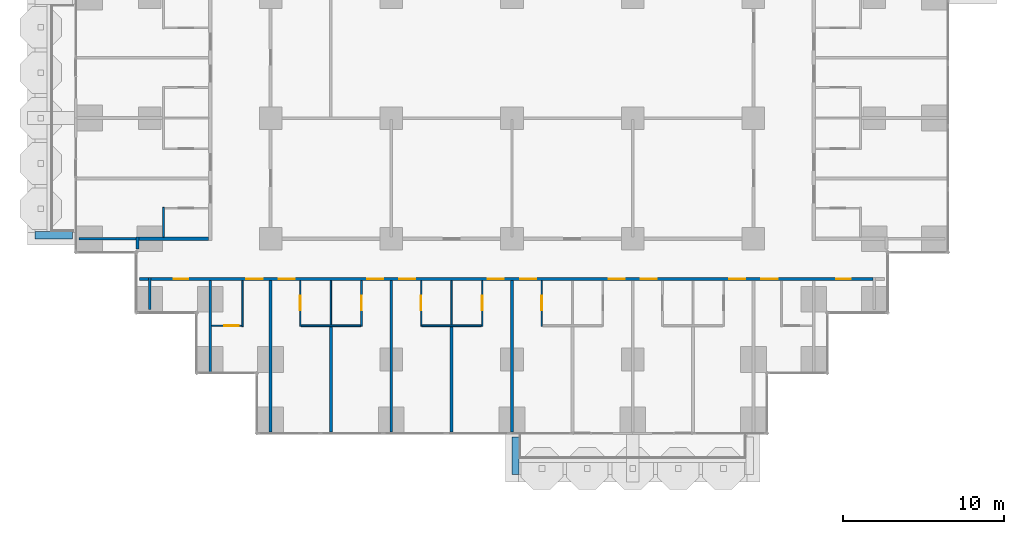
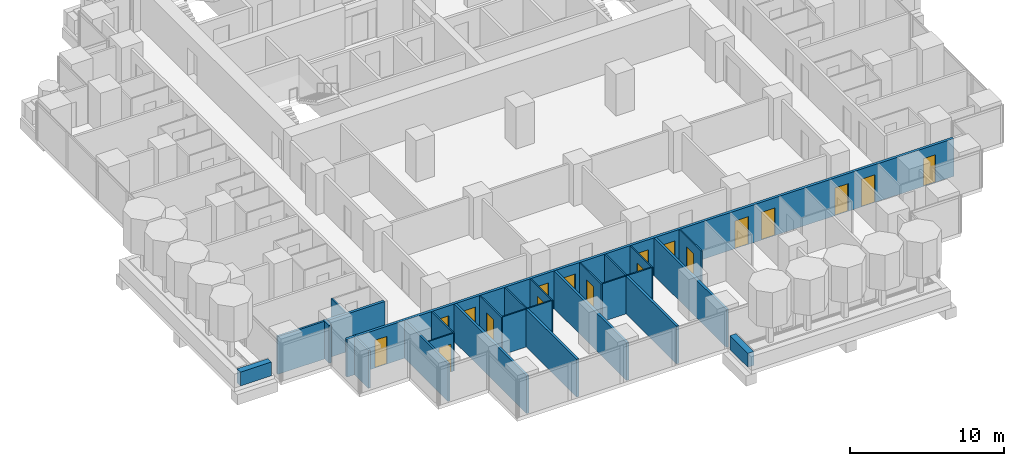
# One storey, part 10 of 19: 26 walls, 18 doors, 18 openings.
"""IFC4 building model written with IfcOpenShell, lengths in metres."""

from ifc_helpers import new_model, si_unit, direction, frame, frame_2d, origin, place, context, subcontext, project, spatial, rectangle, extrude, material, layer, layer_set, type_object, element, fill, save


model = new_model("IFC4")

# Units and contexts
model_context = context("Model", 3, precision=1e-05, world=origin(), true_north=direction((0.0, 1.0)))
body_context = subcontext(model_context, "Body", "Model", "MODEL_VIEW")
ifc_project = project(units=[si_unit("LENGTHUNIT", "METRE"), si_unit("AREAUNIT", "SQUARE_METRE"), si_unit("VOLUMEUNIT", "CUBIC_METRE"), si_unit("PLANEANGLEUNIT", "RADIAN"), si_unit("MASSUNIT", "GRAM", prefix="KILO")], contexts=[model_context])

# Site, building, storey
site_placement = place(None, origin())
site = spatial("IfcSite", under=ifc_project, at=site_placement, CompositionType="ELEMENT")
building_placement = place(site_placement, origin())
building = spatial("IfcBuilding", under=site, at=building_placement, Name="Pilkhan Gate Tower", CompositionType="ELEMENT")
storey_placement = place(building_placement, frame((0.0, 0.0, 46.10009765625)))
storey = spatial("IfcBuildingStorey", under=building, at=storey_placement, Name="L08", CompositionType="ELEMENT", Elevation=46.10009765625)

# Walls
ifc_material_1 = material(Name="Dense blockwork", Category="masonry")
ifc_layer_1 = layer(ifc_material_1, 0.175048828125)
ifc_layer_set_1 = layer_set([ifc_layer_1], Name="Acoustic party wall PW175")
wall_type_1 = type_object("IfcWallType", Name="Acoustic party wall PW175", PredefinedType="PARTITIONING", material=ifc_layer_set_1)
wall_1_placement = place(storey_placement, frame((60.0, 40.485107421875, 0.0), z_axis=(0.0, 0.0, 1.0), x_axis=(0.0, 1.0, 0.0)))
element("IfcWall", 1, at=wall_1_placement, inside=storey, type_object=wall_type_1, Name="Partition L08", PredefinedType="PARTITIONING", context=body_context, shape_type="SweptSolid", body=[
    extrude(rectangle(XDim=9.414794921875, YDim=0.175048828125, at=frame_2d((4.70751953125, 0.0))), origin(), (0.0, 0.0, 1.0), 3.0),
])
wall_2_placement = place(storey_placement, frame((63.75, 40.485107421875, 0.0), z_axis=(0.0, 0.0, 1.0), x_axis=(0.0, 1.0, 0.0)))
element("IfcWall", 2, at=wall_2_placement, inside=storey, type_object=wall_type_1, Name="Partition L08", PredefinedType="PARTITIONING", context=body_context, shape_type="SweptSolid", body=[
    extrude(rectangle(XDim=6.56494140625, YDim=0.175048828125, at=frame_2d((3.282470703125, 0.0))), origin(), (0.0, 0.0, 1.0), 3.0),
])
wall_3_placement = place(storey_placement, frame((67.5, 40.485107421875, 0.0), z_axis=(0.0, 0.0, 1.0), x_axis=(0.0, 1.0, 0.0)))
element("IfcWall", 3, at=wall_3_placement, inside=storey, type_object=wall_type_1, Name="Partition L08", PredefinedType="PARTITIONING", context=body_context, shape_type="SweptSolid", body=[
    extrude(rectangle(XDim=9.414794921875, YDim=0.175048828125, at=frame_2d((4.70751953125, 0.0))), origin(), (0.0, 0.0, 1.0), 3.0),
])
wall_4_placement = place(storey_placement, frame((71.25, 40.485107421875, 0.0), z_axis=(0.0, 0.0, 1.0), x_axis=(0.0, 1.0, 0.0)))
element("IfcWall", 4, at=wall_4_placement, inside=storey, type_object=wall_type_1, Name="Partition L08", PredefinedType="PARTITIONING", context=body_context, shape_type="SweptSolid", body=[
    extrude(rectangle(XDim=6.56494140625, YDim=0.175048828125, at=frame_2d((3.282470703125, 0.0))), origin(), (0.0, 0.0, 1.0), 3.0),
])
wall_5_placement = place(storey_placement, frame((75.0, 40.485107421875, 0.0), z_axis=(0.0, 0.0, 1.0), x_axis=(0.0, 1.0, 0.0)))
element("IfcWall", 5, at=wall_5_placement, inside=storey, type_object=wall_type_1, Name="Partition L08", PredefinedType="PARTITIONING", context=body_context, shape_type="SweptSolid", body=[
    extrude(rectangle(XDim=9.414794921875, YDim=0.175048828125, at=frame_2d((4.70751953125, 0.0))), origin(), (0.0, 0.0, 1.0), 3.0),
])
ifc_material_2 = material(Name="Board-marked Concrete C40/50", Category="concrete")
ifc_layer_2 = layer(ifc_material_2, 0.449951171875)
ifc_layer_set_2 = layer_set([ifc_layer_2], Name="Balcony planter lip BL450")
wall_type_2 = type_object("IfcWallType", Name="Balcony planter lip BL450", PredefinedType="USERDEFINED", material=ifc_layer_set_2)
for number, where, z_axis, x_axis, name in (
    (6, (75.22509765625, 40.179931640625, 0.0), (0.0, 0.0, 1.0), (0.0, -1.0, 0.0), "Balcony planter L08 S"),
    (7, (47.679931640625, 52.72509765625, 0.0), (0.0, 0.0, 1.0), (-1.0, 0.0, 0.0), "Balcony planter L08 W"),
):
    element("IfcWall", number, at=place(storey_placement, frame(where, z_axis=z_axis, x_axis=x_axis)), inside=storey, type_object=wall_type_2, Name=name, ObjectType="BALCONY PLANTER", PredefinedType="USERDEFINED", context=body_context, shape_type="SweptSolid", body=[
        extrude(rectangle(XDim=2.329833984375, YDim=0.449951171875, at=frame_2d((1.1650390625, 0.0))), origin(), (0.0, 0.0, 1.0), 1.099853515625),
    ])
ifc_layer_3 = layer(ifc_material_1, 0.199951171875)
ifc_layer_set_3 = layer_set([ifc_layer_3], Name="Corridor wall FW200")
wall_type_3 = type_object("IfcWallType", Name="Corridor wall FW200", PredefinedType="PARTITIONING", material=ifc_layer_set_3)
wall_6_placement = place(storey_placement, frame((51.85498046875, 50.0, 0.0), z_axis=(0.0, 0.0, 1.0), x_axis=(1.0, 0.0, 0.0)))
element("IfcWall", 8, at=wall_6_placement, inside=storey, type_object=wall_type_3, Name="Partition L08", PredefinedType="PARTITIONING", context=body_context, shape_type="SweptSolid", body=[
    extrude(rectangle(XDim=0.570068359375, YDim=0.199951171875, at=frame_2d((0.28515625, 0.0))), origin(), (0.0, 0.0, 1.0), 3.0),
])

# Wall, openings, doors
wall_7_placement = place(storey_placement, frame((52.574951171875, 50.0, 0.0), z_axis=(0.0, 0.0, 1.0), x_axis=(1.0, 0.0, 0.0)))
wall_7 = element("IfcWall", 9, at=wall_7_placement, inside=storey, type_object=wall_type_3, Name="Partition L08", PredefinedType="PARTITIONING", context=body_context, shape_type="SweptSolid", body=[
    extrude(rectangle(XDim=44.85009765625, YDim=0.199951171875, at=frame_2d((22.425048828125, 0.0))), origin(), (0.0, 0.0, 1.0), 3.0),
])
opening_1_placement = place(wall_7_placement, frame((5.925048828125, 0.0, 0.0)))
opening_1 = element("IfcOpeningElement", 10, at=opening_1_placement, cuts=wall_7, Name="Opening L08-06", PredefinedType="OPENING", context=body_context, shape_type="SweptSolid", body=[
    extrude(rectangle(XDim=1.0, YDim=2.199951171875, at=frame_2d((0.5, 1.10009765625))), frame((0.0, 0.10986328125, 0.0), z_axis=(0.0, -1.0, 0.0), x_axis=(1.0, 0.0, 0.0)), (0.0, 0.0, 1.0), 0.219970703125),
])
opening_2_placement = place(wall_7_placement, frame((7.925048828125, 0.0, 0.0)))
opening_2 = element("IfcOpeningElement", 11, at=opening_2_placement, cuts=wall_7, Name="Opening L08-08", PredefinedType="OPENING", context=body_context, shape_type="SweptSolid", body=[
    extrude(rectangle(XDim=1.0, YDim=2.199951171875, at=frame_2d((0.5, 1.10009765625))), frame((0.0, 0.10986328125, 0.0), z_axis=(0.0, -1.0, 0.0), x_axis=(1.0, 0.0, 0.0)), (0.0, 0.0, 1.0), 0.219970703125),
])
opening_3_placement = place(wall_7_placement, frame((13.425048828125, 0.0, 0.0)))
opening_3 = element("IfcOpeningElement", 12, at=opening_3_placement, cuts=wall_7, Name="Opening L08-10", PredefinedType="OPENING", context=body_context, shape_type="SweptSolid", body=[
    extrude(rectangle(XDim=1.0, YDim=2.199951171875, at=frame_2d((0.5, 1.10009765625))), frame((0.0, 0.10986328125, 0.0), z_axis=(0.0, -1.0, 0.0), x_axis=(1.0, 0.0, 0.0)), (0.0, 0.0, 1.0), 0.219970703125),
])
opening_4_placement = place(wall_7_placement, frame((15.425048828125, 0.0, 0.0)))
opening_4 = element("IfcOpeningElement", 13, at=opening_4_placement, cuts=wall_7, Name="Opening L08-12", PredefinedType="OPENING", context=body_context, shape_type="SweptSolid", body=[
    extrude(rectangle(XDim=1.0, YDim=2.199951171875, at=frame_2d((0.5, 1.10009765625))), frame((0.0, 0.10986328125, 0.0), z_axis=(0.0, -1.0, 0.0), x_axis=(1.0, 0.0, 0.0)), (0.0, 0.0, 1.0), 0.219970703125),
])
opening_5_placement = place(wall_7_placement, frame((20.925048828125, 0.0, 0.0)))
opening_5 = element("IfcOpeningElement", 14, at=opening_5_placement, cuts=wall_7, Name="Opening L08-14", PredefinedType="OPENING", context=body_context, shape_type="SweptSolid", body=[
    extrude(rectangle(XDim=1.0, YDim=2.199951171875, at=frame_2d((0.5, 1.10009765625))), frame((0.0, 0.10986328125, 0.0), z_axis=(0.0, -1.0, 0.0), x_axis=(1.0, 0.0, 0.0)), (0.0, 0.0, 1.0), 0.219970703125),
])
opening_6_placement = place(wall_7_placement, frame((22.925048828125, 0.0, 0.0)))
opening_6 = element("IfcOpeningElement", 15, at=opening_6_placement, cuts=wall_7, Name="Opening L08-16", PredefinedType="OPENING", context=body_context, shape_type="SweptSolid", body=[
    extrude(rectangle(XDim=1.0, YDim=2.199951171875, at=frame_2d((0.5, 1.10009765625))), frame((0.0, 0.10986328125, 0.0), z_axis=(0.0, -1.0, 0.0), x_axis=(1.0, 0.0, 0.0)), (0.0, 0.0, 1.0), 0.219970703125),
])
opening_7_placement = place(wall_7_placement, frame((28.425048828125, 0.0, 0.0)))
opening_7 = element("IfcOpeningElement", 16, at=opening_7_placement, cuts=wall_7, Name="Opening L08-18", PredefinedType="OPENING", context=body_context, shape_type="SweptSolid", body=[
    extrude(rectangle(XDim=1.0, YDim=2.199951171875, at=frame_2d((0.5, 1.10009765625))), frame((0.0, 0.10986328125, 0.0), z_axis=(0.0, -1.0, 0.0), x_axis=(1.0, 0.0, 0.0)), (0.0, 0.0, 1.0), 0.219970703125),
])
opening_8_placement = place(wall_7_placement, frame((30.425048828125, 0.0, 0.0)))
opening_8 = element("IfcOpeningElement", 17, at=opening_8_placement, cuts=wall_7, Name="Opening L08-20", PredefinedType="OPENING", context=body_context, shape_type="SweptSolid", body=[
    extrude(rectangle(XDim=1.0, YDim=2.199951171875, at=frame_2d((0.5, 1.10009765625))), frame((0.0, 0.10986328125, 0.0), z_axis=(0.0, -1.0, 0.0), x_axis=(1.0, 0.0, 0.0)), (0.0, 0.0, 1.0), 0.219970703125),
])
opening_9_placement = place(wall_7_placement, frame((35.925048828125, 0.0, 0.0)))
opening_9 = element("IfcOpeningElement", 18, at=opening_9_placement, cuts=wall_7, Name="Opening L08-22", PredefinedType="OPENING", context=body_context, shape_type="SweptSolid", body=[
    extrude(rectangle(XDim=1.0, YDim=2.199951171875, at=frame_2d((0.5, 1.10009765625))), frame((0.0, 0.10986328125, 0.0), z_axis=(0.0, -1.0, 0.0), x_axis=(1.0, 0.0, 0.0)), (0.0, 0.0, 1.0), 0.219970703125),
])
opening_10_placement = place(wall_7_placement, frame((37.925048828125, 0.0, 0.0)))
opening_10 = element("IfcOpeningElement", 19, at=opening_10_placement, cuts=wall_7, Name="Opening L08-24", PredefinedType="OPENING", context=body_context, shape_type="SweptSolid", body=[
    extrude(rectangle(XDim=1.0, YDim=2.199951171875, at=frame_2d((0.5, 1.10009765625))), frame((0.0, 0.10986328125, 0.0), z_axis=(0.0, -1.0, 0.0), x_axis=(1.0, 0.0, 0.0)), (0.0, 0.0, 1.0), 0.219970703125),
])
opening_11_placement = place(wall_7_placement, frame((1.39990234375, 0.0, 0.0)))
opening_11 = element("IfcOpeningElement", 20, at=opening_11_placement, cuts=wall_7, Name="Opening L08-63", PredefinedType="OPENING", context=body_context, shape_type="SweptSolid", body=[
    extrude(rectangle(XDim=0.89990234375, YDim=2.199951171875, at=frame_2d((0.449951171875, 1.10009765625))), frame((0.0, 0.10986328125, 0.0), z_axis=(0.0, -1.0, 0.0), x_axis=(1.0, 0.0, 0.0)), (0.0, 0.0, 1.0), 0.219970703125),
])
opening_12_placement = place(wall_7_placement, frame((42.574951171875, 0.0, 0.0)))
opening_12 = element("IfcOpeningElement", 21, at=opening_12_placement, cuts=wall_7, Name="Opening L08-64", PredefinedType="OPENING", context=body_context, shape_type="SweptSolid", body=[
    extrude(rectangle(XDim=0.89990234375, YDim=2.199951171875, at=frame_2d((0.449951171875, 1.10009765625))), frame((0.0, 0.10986328125, 0.0), z_axis=(0.0, -1.0, 0.0), x_axis=(1.0, 0.0, 0.0)), (0.0, 0.0, 1.0), 0.219970703125),
])
ifc_material_3 = material(Name="Timber flush door, 30 minute fire resisting", Category="wood")
door_type_1 = type_object("IfcDoorType", Name="Guest room door D01 1000x2200", OperationType="SINGLE_SWING_LEFT", PredefinedType="DOOR", material=ifc_material_3)
door_1_placement = place(opening_1_placement, origin())
door_1 = element("IfcDoor", 22, at=door_1_placement, inside=storey, type_object=door_type_1, Name="Guest room door", OperationType="SINGLE_SWING_RIGHT", OverallHeight=2.199951171875, OverallWidth=1.0, PredefinedType="DOOR", context=body_context, shape_type="SweptSolid", body=[
    extrude(rectangle(XDim=1.0, YDim=2.199951171875, at=frame_2d((0.5, 1.10009765625))), frame((0.0, 0.02490234375, 0.0), z_axis=(0.0, -1.0, 0.0), x_axis=(1.0, 0.0, 0.0)), (0.0, 0.0, 1.0), 0.050048828125),
])
fill(opening_1, door_1)
door_2_placement = place(opening_2_placement, origin())
door_2 = element("IfcDoor", 23, at=door_2_placement, inside=storey, type_object=door_type_1, Name="Guest room door", OperationType="SINGLE_SWING_RIGHT", OverallHeight=2.199951171875, OverallWidth=1.0, PredefinedType="DOOR", context=body_context, shape_type="SweptSolid", body=[
    extrude(rectangle(XDim=1.0, YDim=2.199951171875, at=frame_2d((0.5, 1.10009765625))), frame((0.0, 0.02490234375, 0.0), z_axis=(0.0, -1.0, 0.0), x_axis=(1.0, 0.0, 0.0)), (0.0, 0.0, 1.0), 0.050048828125),
])
fill(opening_2, door_2)
door_3_placement = place(opening_3_placement, origin())
door_3 = element("IfcDoor", 24, at=door_3_placement, inside=storey, type_object=door_type_1, Name="Guest room door", OperationType="SINGLE_SWING_LEFT", OverallHeight=2.199951171875, OverallWidth=1.0, PredefinedType="DOOR", context=body_context, shape_type="SweptSolid", body=[
    extrude(rectangle(XDim=1.0, YDim=2.199951171875, at=frame_2d((0.5, 1.10009765625))), frame((0.0, 0.02490234375, 0.0), z_axis=(0.0, -1.0, 0.0), x_axis=(1.0, 0.0, 0.0)), (0.0, 0.0, 1.0), 0.050048828125),
])
fill(opening_3, door_3)
door_4_placement = place(opening_4_placement, origin())
door_4 = element("IfcDoor", 25, at=door_4_placement, inside=storey, type_object=door_type_1, Name="Guest room door", OperationType="SINGLE_SWING_RIGHT", OverallHeight=2.199951171875, OverallWidth=1.0, PredefinedType="DOOR", context=body_context, shape_type="SweptSolid", body=[
    extrude(rectangle(XDim=1.0, YDim=2.199951171875, at=frame_2d((0.5, 1.10009765625))), frame((0.0, 0.02490234375, 0.0), z_axis=(0.0, -1.0, 0.0), x_axis=(1.0, 0.0, 0.0)), (0.0, 0.0, 1.0), 0.050048828125),
])
fill(opening_4, door_4)
door_5_placement = place(opening_5_placement, origin())
door_5 = element("IfcDoor", 26, at=door_5_placement, inside=storey, type_object=door_type_1, Name="Guest room door", OperationType="SINGLE_SWING_LEFT", OverallHeight=2.199951171875, OverallWidth=1.0, PredefinedType="DOOR", context=body_context, shape_type="SweptSolid", body=[
    extrude(rectangle(XDim=1.0, YDim=2.199951171875, at=frame_2d((0.5, 1.10009765625))), frame((0.0, 0.02490234375, 0.0), z_axis=(0.0, -1.0, 0.0), x_axis=(1.0, 0.0, 0.0)), (0.0, 0.0, 1.0), 0.050048828125),
])
fill(opening_5, door_5)
door_6_placement = place(opening_6_placement, origin())
door_6 = element("IfcDoor", 27, at=door_6_placement, inside=storey, type_object=door_type_1, Name="Guest room door", OperationType="SINGLE_SWING_LEFT", OverallHeight=2.199951171875, OverallWidth=1.0, PredefinedType="DOOR", context=body_context, shape_type="SweptSolid", body=[
    extrude(rectangle(XDim=1.0, YDim=2.199951171875, at=frame_2d((0.5, 1.10009765625))), frame((0.0, 0.02490234375, 0.0), z_axis=(0.0, -1.0, 0.0), x_axis=(1.0, 0.0, 0.0)), (0.0, 0.0, 1.0), 0.050048828125),
])
fill(opening_6, door_6)
door_7_placement = place(opening_7_placement, origin())
door_7 = element("IfcDoor", 28, at=door_7_placement, inside=storey, type_object=door_type_1, Name="Guest room door", OperationType="SINGLE_SWING_LEFT", OverallHeight=2.199951171875, OverallWidth=1.0, PredefinedType="DOOR", context=body_context, shape_type="SweptSolid", body=[
    extrude(rectangle(XDim=1.0, YDim=2.199951171875, at=frame_2d((0.5, 1.10009765625))), frame((0.0, 0.02490234375, 0.0), z_axis=(0.0, -1.0, 0.0), x_axis=(1.0, 0.0, 0.0)), (0.0, 0.0, 1.0), 0.050048828125),
])
fill(opening_7, door_7)
door_8_placement = place(opening_8_placement, origin())
door_8 = element("IfcDoor", 29, at=door_8_placement, inside=storey, type_object=door_type_1, Name="Guest room door", OperationType="SINGLE_SWING_RIGHT", OverallHeight=2.199951171875, OverallWidth=1.0, PredefinedType="DOOR", context=body_context, shape_type="SweptSolid", body=[
    extrude(rectangle(XDim=1.0, YDim=2.199951171875, at=frame_2d((0.5, 1.10009765625))), frame((0.0, 0.02490234375, 0.0), z_axis=(0.0, -1.0, 0.0), x_axis=(1.0, 0.0, 0.0)), (0.0, 0.0, 1.0), 0.050048828125),
])
fill(opening_8, door_8)
door_9_placement = place(opening_9_placement, origin())
door_9 = element("IfcDoor", 30, at=door_9_placement, inside=storey, type_object=door_type_1, Name="Guest room door", OperationType="SINGLE_SWING_RIGHT", OverallHeight=2.199951171875, OverallWidth=1.0, PredefinedType="DOOR", context=body_context, shape_type="SweptSolid", body=[
    extrude(rectangle(XDim=1.0, YDim=2.199951171875, at=frame_2d((0.5, 1.10009765625))), frame((0.0, 0.02490234375, 0.0), z_axis=(0.0, -1.0, 0.0), x_axis=(1.0, 0.0, 0.0)), (0.0, 0.0, 1.0), 0.050048828125),
])
fill(opening_9, door_9)
door_10_placement = place(opening_10_placement, origin())
door_10 = element("IfcDoor", 31, at=door_10_placement, inside=storey, type_object=door_type_1, Name="Guest room door", OperationType="SINGLE_SWING_LEFT", OverallHeight=2.199951171875, OverallWidth=1.0, PredefinedType="DOOR", context=body_context, shape_type="SweptSolid", body=[
    extrude(rectangle(XDim=1.0, YDim=2.199951171875, at=frame_2d((0.5, 1.10009765625))), frame((0.0, 0.02490234375, 0.0), z_axis=(0.0, -1.0, 0.0), x_axis=(1.0, 0.0, 0.0)), (0.0, 0.0, 1.0), 0.050048828125),
])
fill(opening_10, door_10)
ifc_material_4 = material(Name="Timber flush door, 60 minute fire resisting, self-closing", Category="wood")
door_type_2 = type_object("IfcDoorType", Name="Store door D05 900x2200", OperationType="SINGLE_SWING_LEFT", PredefinedType="DOOR", material=ifc_material_4)
door_11_placement = place(opening_11_placement, origin())
door_11 = element("IfcDoor", 32, at=door_11_placement, inside=storey, type_object=door_type_2, Name="Store door", OperationType="SINGLE_SWING_RIGHT", OverallHeight=2.199951171875, OverallWidth=0.89990234375, PredefinedType="DOOR", context=body_context, shape_type="SweptSolid", body=[
    extrude(rectangle(XDim=0.89990234375, YDim=2.199951171875, at=frame_2d((0.449951171875, 1.10009765625))), frame((0.0, 0.02490234375, 0.0), z_axis=(0.0, -1.0, 0.0), x_axis=(1.0, 0.0, 0.0)), (0.0, 0.0, 1.0), 0.050048828125),
])
fill(opening_11, door_11)
door_12_placement = place(opening_12_placement, origin())
door_12 = element("IfcDoor", 33, at=door_12_placement, inside=storey, type_object=door_type_2, Name="Store door", OperationType="SINGLE_SWING_LEFT", OverallHeight=2.199951171875, OverallWidth=0.89990234375, PredefinedType="DOOR", context=body_context, shape_type="SweptSolid", body=[
    extrude(rectangle(XDim=0.89990234375, YDim=2.199951171875, at=frame_2d((0.449951171875, 1.10009765625))), frame((0.0, 0.02490234375, 0.0), z_axis=(0.0, -1.0, 0.0), x_axis=(1.0, 0.0, 0.0)), (0.0, 0.0, 1.0), 0.050048828125),
])
fill(opening_12, door_12)

# Walls
wall_8_placement = place(storey_placement, frame((51.8349609375, 52.5, 0.0), z_axis=(0.0, 0.0, 1.0), x_axis=(1.0, 0.0, 0.0)))
element("IfcWall", 34, at=wall_8_placement, inside=storey, type_object=wall_type_3, Name="Partition L08", PredefinedType="PARTITIONING", context=body_context, shape_type="SweptSolid", body=[
    extrude(rectangle(XDim=4.31494140625, YDim=0.199951171875, at=frame_2d((2.157470703125, 0.0))), origin(), (0.0, 0.0, 1.0), 3.0),
])
wall_9_placement = place(storey_placement, frame((51.735107421875, 51.85498046875, 0.0), z_axis=(0.0, 0.0, 1.0), x_axis=(0.0, 1.0, 0.0)))
element("IfcWall", 35, at=wall_9_placement, inside=storey, type_object=wall_type_3, Name="Partition L08", PredefinedType="PARTITIONING", context=body_context, shape_type="SweptSolid", body=[
    extrude(rectangle(XDim=0.7451171875, YDim=0.199951171875, at=frame_2d((0.37255859375, 0.0))), origin(), (0.0, 0.0, 1.0), 3.0),
])
ifc_material_5 = material(Name="Blockwork partition, plastered both sides", Category="masonry")
ifc_layer_4 = layer(ifc_material_5, 0.14990234375)
ifc_layer_set_4 = layer_set([ifc_layer_4], Name="Partition PW150")
wall_type_4 = type_object("IfcWallType", Name="Partition PW150", PredefinedType="PARTITIONING", material=ifc_layer_set_4)
wall_10_placement = place(storey_placement, frame((48.10498046875, 52.5, 0.0), z_axis=(0.0, 0.0, 1.0), x_axis=(1.0, 0.0, 0.0)))
element("IfcWall", 36, at=wall_10_placement, inside=storey, type_object=wall_type_4, Name="Partition L08", PredefinedType="PARTITIONING", context=body_context, shape_type="SweptSolid", body=[
    extrude(rectangle(XDim=3.530029296875, YDim=0.14990234375, at=frame_2d((1.76513671875, 0.0))), origin(), (0.0, 0.0, 1.0), 3.0),
])
wall_11_placement = place(storey_placement, frame((52.5, 48.10498046875, 0.0), z_axis=(0.0, 0.0, 1.0), x_axis=(0.0, 1.0, 0.0)))
element("IfcWall", 37, at=wall_11_placement, inside=storey, type_object=wall_type_4, Name="Partition L08", PredefinedType="PARTITIONING", context=body_context, shape_type="SweptSolid", body=[
    extrude(rectangle(XDim=1.9951171875, YDim=0.14990234375, at=frame_2d((0.99755859375, 0.0))), origin(), (0.0, 0.0, 1.0), 3.0),
])
wall_12_placement = place(storey_placement, frame((56.25, 44.235107421875, 0.0), z_axis=(0.0, 0.0, 1.0), x_axis=(0.0, 1.0, 0.0)))
element("IfcWall", 38, at=wall_12_placement, inside=storey, type_object=wall_type_4, Name="Partition L08", PredefinedType="PARTITIONING", context=body_context, shape_type="SweptSolid", body=[
    extrude(rectangle(XDim=5.664794921875, YDim=0.14990234375, at=frame_2d((2.83251953125, 0.0))), origin(), (0.0, 0.0, 1.0), 3.0),
])

# Wall, opening, door
ifc_material_6 = material(Name="Moisture resistant board, tiled")
ifc_layer_5 = layer(ifc_material_6, 0.10009765625)
ifc_layer_set_5 = layer_set([ifc_layer_5], Name="Wet wall PW100")
wall_type_5 = type_object("IfcWallType", Name="Wet wall PW100", PredefinedType="PARTITIONING", material=ifc_layer_set_5)
wall_13_placement = place(storey_placement, frame((56.324951171875, 47.10009765625, 0.0), z_axis=(0.0, 0.0, 1.0), x_axis=(1.0, 0.0, 0.0)))
wall_13 = element("IfcWall", 39, at=wall_13_placement, inside=storey, type_object=wall_type_5, Name="Partition L08", PredefinedType="PARTITIONING", context=body_context, shape_type="SweptSolid", body=[
    extrude(rectangle(XDim=1.875, YDim=0.10009765625, at=frame_2d((0.9375, 0.0))), origin(), (0.0, 0.0, 1.0), 3.0),
])
opening_13_placement = place(wall_13_placement, frame((0.800048828125, 0.0, 0.0)))
opening_13 = element("IfcOpeningElement", 40, at=opening_13_placement, cuts=wall_13, Name="Opening L08-07", PredefinedType="OPENING", context=body_context, shape_type="SweptSolid", body=[
    extrude(rectangle(XDim=0.89990234375, YDim=2.199951171875, at=frame_2d((0.449951171875, 1.10009765625))), frame((0.0, 0.06005859375, 0.0), z_axis=(0.0, -1.0, 0.0), x_axis=(1.0, 0.0, 0.0)), (0.0, 0.0, 1.0), 0.1201171875),
])
ifc_material_7 = material(Name="Timber flush door", Category="wood")
door_type_3 = type_object("IfcDoorType", Name="Bathroom door D02 900x2200", OperationType="SINGLE_SWING_RIGHT", PredefinedType="DOOR", material=ifc_material_7)
door_13_placement = place(opening_13_placement, origin())
door_13 = element("IfcDoor", 41, at=door_13_placement, inside=storey, type_object=door_type_3, Name="Bathroom door", OperationType="SINGLE_SWING_RIGHT", OverallHeight=2.199951171875, OverallWidth=0.89990234375, PredefinedType="DOOR", context=body_context, shape_type="SweptSolid", body=[
    extrude(rectangle(XDim=0.89990234375, YDim=2.199951171875, at=frame_2d((0.449951171875, 1.10009765625))), frame((0.0, 0.02490234375, 0.0), z_axis=(0.0, -1.0, 0.0), x_axis=(1.0, 0.0, 0.0)), (0.0, 0.0, 1.0), 0.050048828125),
])
fill(opening_13, door_13)

# Walls
for number, where, z_axis, x_axis, name in (
    (42, (61.89990234375, 47.10009765625, 0.0), (0.0, 0.0, 1.0), (1.0, 0.0, 0.0), "Partition L08"),
    (43, (69.39990234375, 47.10009765625, 0.0), (0.0, 0.0, 1.0), (1.0, 0.0, 0.0), "Partition L08"),
):
    element("IfcWall", number, at=place(storey_placement, frame(where, z_axis=z_axis, x_axis=x_axis)), inside=storey, type_object=wall_type_5, Name=name, PredefinedType="PARTITIONING", context=body_context, shape_type="SweptSolid", body=[
        extrude(rectangle(XDim=3.7001953125, YDim=0.10009765625, at=frame_2d((1.85009765625, 0.0))), origin(), (0.0, 0.0, 1.0), 3.0),
    ])
wall_14_placement = place(storey_placement, frame((53.35009765625, 52.60009765625, 0.0), z_axis=(0.0, 0.0, 1.0), x_axis=(0.0, 1.0, 0.0)))
element("IfcWall", 44, at=wall_14_placement, inside=storey, type_object=wall_type_5, Name="Partition L08", PredefinedType="PARTITIONING", context=body_context, shape_type="SweptSolid", body=[
    extrude(rectangle(XDim=1.849853515625, YDim=0.10009765625, at=frame_2d((0.9248046875, 0.0))), origin(), (0.0, 0.0, 1.0), 3.0),
])
wall_15_placement = place(storey_placement, frame((58.25, 47.050048828125, 0.0), z_axis=(0.0, 0.0, 1.0), x_axis=(0.0, 1.0, 0.0)))
element("IfcWall", 45, at=wall_15_placement, inside=storey, type_object=wall_type_5, Name="Partition L08", PredefinedType="PARTITIONING", context=body_context, shape_type="SweptSolid", body=[
    extrude(rectangle(XDim=2.849853515625, YDim=0.10009765625, at=frame_2d((1.4248046875, 0.0))), origin(), (0.0, 0.0, 1.0), 3.0),
])

# Wall, opening, door
wall_16_placement = place(storey_placement, frame((61.85009765625, 47.050048828125, 0.0), z_axis=(0.0, 0.0, 1.0), x_axis=(0.0, 1.0, 0.0)))
wall_16 = element("IfcWall", 46, at=wall_16_placement, inside=storey, type_object=wall_type_5, Name="Partition L08", PredefinedType="PARTITIONING", context=body_context, shape_type="SweptSolid", body=[
    extrude(rectangle(XDim=2.849853515625, YDim=0.10009765625, at=frame_2d((1.4248046875, 0.0))), origin(), (0.0, 0.0, 1.0), 3.0),
])
opening_14_placement = place(wall_16_placement, frame((1.0, 0.0, 0.0)))
opening_14 = element("IfcOpeningElement", 47, at=opening_14_placement, cuts=wall_16, Name="Opening L08-09", PredefinedType="OPENING", context=body_context, shape_type="SweptSolid", body=[
    extrude(rectangle(XDim=0.89990234375, YDim=2.199951171875, at=frame_2d((0.449951171875, 1.10009765625))), frame((0.0, 0.06005859375, 0.0), z_axis=(0.0, -1.0, 0.0), x_axis=(1.0, 0.0, 0.0)), (0.0, 0.0, 1.0), 0.1201171875),
])
door_14_placement = place(opening_14_placement, origin())
door_14 = element("IfcDoor", 48, at=door_14_placement, inside=storey, type_object=door_type_3, Name="Bathroom door", OperationType="SINGLE_SWING_RIGHT", OverallHeight=2.199951171875, OverallWidth=0.89990234375, PredefinedType="DOOR", context=body_context, shape_type="SweptSolid", body=[
    extrude(rectangle(XDim=0.89990234375, YDim=2.199951171875, at=frame_2d((0.449951171875, 1.10009765625))), frame((0.0, 0.02490234375, 0.0), z_axis=(0.0, -1.0, 0.0), x_axis=(1.0, 0.0, 0.0)), (0.0, 0.0, 1.0), 0.050048828125),
])
fill(opening_14, door_14)

# Wall
wall_17_placement = place(storey_placement, frame((63.75, 47.14990234375, 0.0), z_axis=(0.0, 0.0, 1.0), x_axis=(0.0, 1.0, 0.0)))
element("IfcWall", 49, at=wall_17_placement, inside=storey, type_object=wall_type_5, Name="Partition L08", PredefinedType="PARTITIONING", context=body_context, shape_type="SweptSolid", body=[
    extrude(rectangle(XDim=2.75, YDim=0.10009765625, at=frame_2d((1.375, 0.0))), origin(), (0.0, 0.0, 1.0), 3.0),
])

# Wall, opening, door
wall_18_placement = place(storey_placement, frame((65.64990234375, 47.050048828125, 0.0), z_axis=(0.0, 0.0, 1.0), x_axis=(0.0, 1.0, 0.0)))
wall_18 = element("IfcWall", 50, at=wall_18_placement, inside=storey, type_object=wall_type_5, Name="Partition L08", PredefinedType="PARTITIONING", context=body_context, shape_type="SweptSolid", body=[
    extrude(rectangle(XDim=2.849853515625, YDim=0.10009765625, at=frame_2d((1.4248046875, 0.0))), origin(), (0.0, 0.0, 1.0), 3.0),
])
opening_15_placement = place(wall_18_placement, frame((1.0, 0.0, 0.0)))
opening_15 = element("IfcOpeningElement", 51, at=opening_15_placement, cuts=wall_18, Name="Opening L08-11", PredefinedType="OPENING", context=body_context, shape_type="SweptSolid", body=[
    extrude(rectangle(XDim=0.89990234375, YDim=2.199951171875, at=frame_2d((0.449951171875, 1.10009765625))), frame((0.0, 0.06005859375, 0.0), z_axis=(0.0, -1.0, 0.0), x_axis=(1.0, 0.0, 0.0)), (0.0, 0.0, 1.0), 0.1201171875),
])
door_15_placement = place(opening_15_placement, origin())
door_15 = element("IfcDoor", 52, at=door_15_placement, inside=storey, type_object=door_type_3, Name="Bathroom door", OperationType="SINGLE_SWING_RIGHT", OverallHeight=2.199951171875, OverallWidth=0.89990234375, PredefinedType="DOOR", context=body_context, shape_type="SweptSolid", body=[
    extrude(rectangle(XDim=0.89990234375, YDim=2.199951171875, at=frame_2d((0.449951171875, 1.10009765625))), frame((0.0, 0.02490234375, 0.0), z_axis=(0.0, -1.0, 0.0), x_axis=(1.0, 0.0, 0.0)), (0.0, 0.0, 1.0), 0.050048828125),
])
fill(opening_15, door_15)

wall_19_placement = place(storey_placement, frame((69.35009765625, 47.050048828125, 0.0), z_axis=(0.0, 0.0, 1.0), x_axis=(0.0, 1.0, 0.0)))
wall_19 = element("IfcWall", 53, at=wall_19_placement, inside=storey, type_object=wall_type_5, Name="Partition L08", PredefinedType="PARTITIONING", context=body_context, shape_type="SweptSolid", body=[
    extrude(rectangle(XDim=2.849853515625, YDim=0.10009765625, at=frame_2d((1.4248046875, 0.0))), origin(), (0.0, 0.0, 1.0), 3.0),
])
opening_16_placement = place(wall_19_placement, frame((1.0, 0.0, 0.0)))
opening_16 = element("IfcOpeningElement", 54, at=opening_16_placement, cuts=wall_19, Name="Opening L08-13", PredefinedType="OPENING", context=body_context, shape_type="SweptSolid", body=[
    extrude(rectangle(XDim=0.89990234375, YDim=2.199951171875, at=frame_2d((0.449951171875, 1.10009765625))), frame((0.0, 0.06005859375, 0.0), z_axis=(0.0, -1.0, 0.0), x_axis=(1.0, 0.0, 0.0)), (0.0, 0.0, 1.0), 0.1201171875),
])
door_16_placement = place(opening_16_placement, origin())
door_16 = element("IfcDoor", 55, at=door_16_placement, inside=storey, type_object=door_type_3, Name="Bathroom door", OperationType="SINGLE_SWING_RIGHT", OverallHeight=2.199951171875, OverallWidth=0.89990234375, PredefinedType="DOOR", context=body_context, shape_type="SweptSolid", body=[
    extrude(rectangle(XDim=0.89990234375, YDim=2.199951171875, at=frame_2d((0.449951171875, 1.10009765625))), frame((0.0, 0.02490234375, 0.0), z_axis=(0.0, -1.0, 0.0), x_axis=(1.0, 0.0, 0.0)), (0.0, 0.0, 1.0), 0.050048828125),
])
fill(opening_16, door_16)

# Wall
wall_20_placement = place(storey_placement, frame((71.25, 47.14990234375, 0.0), z_axis=(0.0, 0.0, 1.0), x_axis=(0.0, 1.0, 0.0)))
element("IfcWall", 56, at=wall_20_placement, inside=storey, type_object=wall_type_5, Name="Partition L08", PredefinedType="PARTITIONING", context=body_context, shape_type="SweptSolid", body=[
    extrude(rectangle(XDim=2.75, YDim=0.10009765625, at=frame_2d((1.375, 0.0))), origin(), (0.0, 0.0, 1.0), 3.0),
])

# Wall, opening, door
wall_21_placement = place(storey_placement, frame((73.14990234375, 47.050048828125, 0.0), z_axis=(0.0, 0.0, 1.0), x_axis=(0.0, 1.0, 0.0)))
wall_21 = element("IfcWall", 57, at=wall_21_placement, inside=storey, type_object=wall_type_5, Name="Partition L08", PredefinedType="PARTITIONING", context=body_context, shape_type="SweptSolid", body=[
    extrude(rectangle(XDim=2.849853515625, YDim=0.10009765625, at=frame_2d((1.4248046875, 0.0))), origin(), (0.0, 0.0, 1.0), 3.0),
])
opening_17_placement = place(wall_21_placement, frame((1.0, 0.0, 0.0)))
opening_17 = element("IfcOpeningElement", 58, at=opening_17_placement, cuts=wall_21, Name="Opening L08-15", PredefinedType="OPENING", context=body_context, shape_type="SweptSolid", body=[
    extrude(rectangle(XDim=0.89990234375, YDim=2.199951171875, at=frame_2d((0.449951171875, 1.10009765625))), frame((0.0, 0.06005859375, 0.0), z_axis=(0.0, -1.0, 0.0), x_axis=(1.0, 0.0, 0.0)), (0.0, 0.0, 1.0), 0.1201171875),
])
door_17_placement = place(opening_17_placement, origin())
door_17 = element("IfcDoor", 59, at=door_17_placement, inside=storey, type_object=door_type_3, Name="Bathroom door", OperationType="SINGLE_SWING_RIGHT", OverallHeight=2.199951171875, OverallWidth=0.89990234375, PredefinedType="DOOR", context=body_context, shape_type="SweptSolid", body=[
    extrude(rectangle(XDim=0.89990234375, YDim=2.199951171875, at=frame_2d((0.449951171875, 1.10009765625))), frame((0.0, 0.02490234375, 0.0), z_axis=(0.0, -1.0, 0.0), x_axis=(1.0, 0.0, 0.0)), (0.0, 0.0, 1.0), 0.050048828125),
])
fill(opening_17, door_17)

wall_22_placement = place(storey_placement, frame((76.85009765625, 47.050048828125, 0.0), z_axis=(0.0, 0.0, 1.0), x_axis=(0.0, 1.0, 0.0)))
wall_22 = element("IfcWall", 60, at=wall_22_placement, inside=storey, type_object=wall_type_5, Name="Partition L08", PredefinedType="PARTITIONING", context=body_context, shape_type="SweptSolid", body=[
    extrude(rectangle(XDim=2.849853515625, YDim=0.10009765625, at=frame_2d((1.4248046875, 0.0))), origin(), (0.0, 0.0, 1.0), 3.0),
])
opening_18_placement = place(wall_22_placement, frame((1.0, 0.0, 0.0)))
opening_18 = element("IfcOpeningElement", 61, at=opening_18_placement, cuts=wall_22, Name="Opening L08-17", PredefinedType="OPENING", context=body_context, shape_type="SweptSolid", body=[
    extrude(rectangle(XDim=0.89990234375, YDim=2.199951171875, at=frame_2d((0.449951171875, 1.10009765625))), frame((0.0, 0.06005859375, 0.0), z_axis=(0.0, -1.0, 0.0), x_axis=(1.0, 0.0, 0.0)), (0.0, 0.0, 1.0), 0.1201171875),
])
door_18_placement = place(opening_18_placement, origin())
door_18 = element("IfcDoor", 62, at=door_18_placement, inside=storey, type_object=door_type_3, Name="Bathroom door", OperationType="SINGLE_SWING_RIGHT", OverallHeight=2.199951171875, OverallWidth=0.89990234375, PredefinedType="DOOR", context=body_context, shape_type="SweptSolid", body=[
    extrude(rectangle(XDim=0.89990234375, YDim=2.199951171875, at=frame_2d((0.449951171875, 1.10009765625))), frame((0.0, 0.02490234375, 0.0), z_axis=(0.0, -1.0, 0.0), x_axis=(1.0, 0.0, 0.0)), (0.0, 0.0, 1.0), 0.050048828125),
])
fill(opening_18, door_18)

save(model, "model.ifc")
